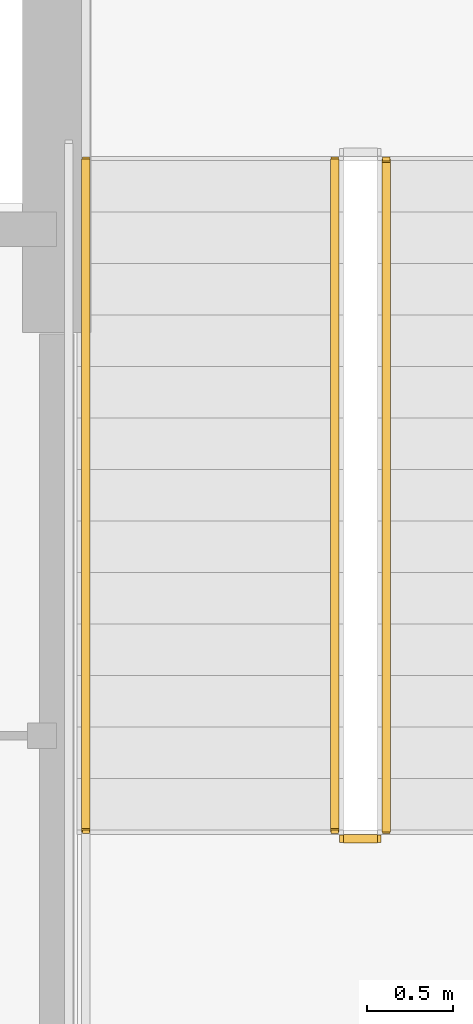
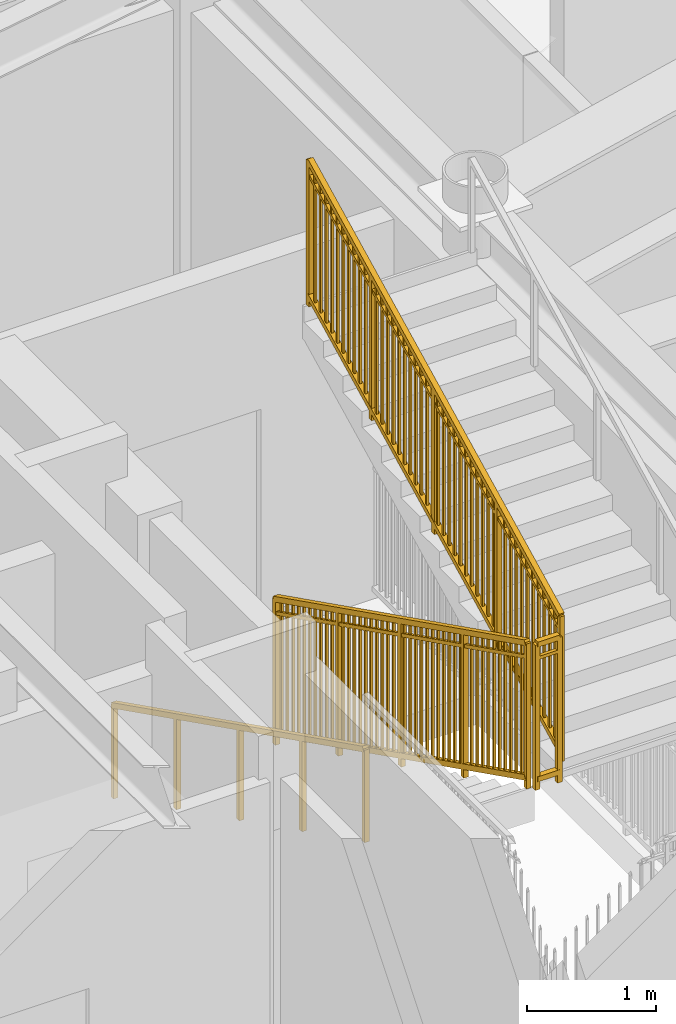
# One storey, part 22 of 26: 4 railings.
"""IFC4 building model written with IfcOpenShell, lengths in metres."""

from ifc_helpers import new_model, si_unit, direction, frame, origin, origin_2d, place, context, subcontext, project, spatial, rectangle, extrude, source, transform, mapped, material, type_object, element, save


model = new_model("IFC4")

# Units and contexts
model_context = context("Model", 3, precision=1e-05, world=origin(), true_north=direction((0.0, 1.0)))
body_context = subcontext(model_context, "Body", "Model", "MODEL_VIEW")
ifc_project = project(units=[si_unit("LENGTHUNIT", "METRE"), si_unit("AREAUNIT", "SQUARE_METRE"), si_unit("VOLUMEUNIT", "CUBIC_METRE"), si_unit("PLANEANGLEUNIT", "RADIAN"), si_unit("MASSUNIT", "GRAM", prefix="KILO")], contexts=[model_context])

# Site, building, storey
site_placement = place(None, origin())
site = spatial("IfcSite", under=ifc_project, at=site_placement, CompositionType="ELEMENT")
building_placement = place(site_placement, origin())
building = spatial("IfcBuilding", under=site, at=building_placement, Name="Linh Dai School and Residence Tower", CompositionType="ELEMENT")
storey_placement = place(building_placement, frame((0.0, 0.0, 351.0)))
storey = spatial("IfcBuildingStorey", under=building, at=storey_placement, Name="L87", CompositionType="ELEMENT", Elevation=351.0)

# Railings
ifc_material_1 = material(Name="Structural Steel S355JR", Category="steel")
railing_type_1 = type_object("IfcRailingType", Name="RL-ST-GUARD-1400", PredefinedType="GUARDRAIL", material=ifc_material_1)
shared_shape_1 = source(origin(), body_context, "Body", "SweptSolid", [
    extrude(rectangle(XDim=0.048095703125, YDim=0.048095703125, at=origin_2d()), frame((0.0, 0.0, 1.3759765625), z_axis=(1.0, 0.0, 0.0), x_axis=(0.0, 1.0, 0.0)), (0.0, 0.0, 1.0), 0.199951171875),
    extrude(rectangle(XDim=0.048095703125, YDim=0.048095703125, at=origin_2d()), frame((0.0, 0.0, 0.10009765625), z_axis=(1.0, 0.0, 0.0), x_axis=(0.0, 1.0, 0.0)), (0.0, 0.0, 1.0), 0.199951171875),
    extrude(rectangle(XDim=0.030029296875, YDim=0.030029296875, at=origin_2d()), frame((0.0, 0.0, 1.239990234375), z_axis=(1.0, 0.0, 0.0), x_axis=(0.0, 1.0, 0.0)), (0.0, 0.0, 1.0), 0.199951171875),
    extrude(rectangle(XDim=0.0419921875, YDim=0.0419921875, at=origin_2d()), origin(), (0.0, 0.0, 1.0), 1.3759765625),
    extrude(rectangle(XDim=0.0419921875, YDim=0.0419921875, at=origin_2d()), frame((0.199951171875, 0.0, 0.0)), (0.0, 0.0, 1.0), 1.3759765625),
])
railing_1_placement = place(storey_placement, frame((42.570068359375, 24.300048828125, 2.10009765625)))
element("IfcRailing", 1, at=railing_1_placement, inside=storey, type_object=railing_type_1, Name="L87 ST2 stair guard 2", PredefinedType="GUARDRAIL", context=body_context, shape_type="MappedRepresentation", body=[
    mapped(shared_shape_1, transform((0.0, 0.0, 0.0), x_axis=(1.0, 0.0, 0.0), y_axis=(0.0, 1.0, 0.0), z_axis=(0.0, 0.0, 1.0), scale=1.0)),
])
shared_shape_2 = source(origin(), body_context, "Body", "SweptSolid", [
    extrude(rectangle(XDim=0.048095703125, YDim=0.048095703125, at=origin_2d()), frame((0.0, 0.0, 1.3759765625), z_axis=(0.0, -0.894404793364, 0.447258387967), x_axis=(1.0, 0.0, 0.0)), (0.0, 0.0, 1.0), 4.3603515625),
    extrude(rectangle(XDim=0.048095703125, YDim=0.048095703125, at=origin_2d()), frame((0.0, 0.0, 0.10009765625), z_axis=(0.0, -0.894404793364, 0.447258387967), x_axis=(1.0, 0.0, 0.0)), (0.0, 0.0, 1.0), 4.3603515625),
    extrude(rectangle(XDim=0.030029296875, YDim=0.030029296875, at=origin_2d()), frame((0.0, 0.0, 1.239990234375), z_axis=(0.0, -0.894404793364, 0.447258387967), x_axis=(1.0, 0.0, 0.0)), (0.0, 0.0, 1.0), 4.3603515625),
    extrude(rectangle(XDim=0.02001953125, YDim=0.02001953125, at=origin_2d()), frame((0.0, -0.086669921875, 0.1435546875)), (0.0, 0.0, 1.0), 1.251708984375),
    extrude(rectangle(XDim=0.02001953125, YDim=0.02001953125, at=origin_2d()), frame((0.0, -0.17333984375, 0.186767578125)), (0.0, 0.0, 1.0), 1.251708984375),
    extrude(rectangle(XDim=0.02001953125, YDim=0.02001953125, at=origin_2d()), frame((0.0, -0.260009765625, 0.230224609375)), (0.0, 0.0, 1.0), 1.251708984375),
    extrude(rectangle(XDim=0.02001953125, YDim=0.02001953125, at=origin_2d()), frame((0.0, -0.3466796875, 0.2734375)), (0.0, 0.0, 1.0), 1.251708984375),
    extrude(rectangle(XDim=0.02001953125, YDim=0.02001953125, at=origin_2d()), frame((0.0, -0.433349609375, 0.31689453125)), (0.0, 0.0, 1.0), 1.251708984375),
    extrude(rectangle(XDim=0.02001953125, YDim=0.02001953125, at=origin_2d()), frame((0.0, -0.52001953125, 0.360107421875)), (0.0, 0.0, 1.0), 1.251708984375),
    extrude(rectangle(XDim=0.02001953125, YDim=0.02001953125, at=origin_2d()), frame((0.0, -0.606689453125, 0.403564453125)), (0.0, 0.0, 1.0), 1.251708984375),
    extrude(rectangle(XDim=0.02001953125, YDim=0.02001953125, at=origin_2d()), frame((0.0, -0.693359375, 0.44677734375)), (0.0, 0.0, 1.0), 1.251708984375),
    extrude(rectangle(XDim=0.02001953125, YDim=0.02001953125, at=origin_2d()), frame((0.0, -0.780029296875, 0.490234375)), (0.0, 0.0, 1.0), 1.251708984375),
    extrude(rectangle(XDim=0.02001953125, YDim=0.02001953125, at=origin_2d()), frame((0.0, -0.86669921875, 0.533447265625)), (0.0, 0.0, 1.0), 1.251708984375),
    extrude(rectangle(XDim=0.02001953125, YDim=0.02001953125, at=origin_2d()), frame((0.0, -1.0400390625, 0.6201171875)), (0.0, 0.0, 1.0), 1.251708984375),
    extrude(rectangle(XDim=0.02001953125, YDim=0.02001953125, at=origin_2d()), frame((0.0, -1.126708984375, 0.66357421875)), (0.0, 0.0, 1.0), 1.251708984375),
    extrude(rectangle(XDim=0.02001953125, YDim=0.02001953125, at=origin_2d()), frame((0.0, -1.21337890625, 0.706787109375)), (0.0, 0.0, 1.0), 1.251708984375),
    extrude(rectangle(XDim=0.02001953125, YDim=0.02001953125, at=origin_2d()), frame((0.0, -1.300048828125, 0.750244140625)), (0.0, 0.0, 1.0), 1.251708984375),
    extrude(rectangle(XDim=0.02001953125, YDim=0.02001953125, at=origin_2d()), frame((0.0, -1.38671875, 0.79345703125)), (0.0, 0.0, 1.0), 1.251708984375),
    extrude(rectangle(XDim=0.02001953125, YDim=0.02001953125, at=origin_2d()), frame((0.0, -1.473388671875, 0.8369140625)), (0.0, 0.0, 1.0), 1.251708984375),
    extrude(rectangle(XDim=0.02001953125, YDim=0.02001953125, at=origin_2d()), frame((0.0, -1.56005859375, 0.880126953125)), (0.0, 0.0, 1.0), 1.251708984375),
    extrude(rectangle(XDim=0.02001953125, YDim=0.02001953125, at=origin_2d()), frame((0.0, -1.646728515625, 0.923583984375)), (0.0, 0.0, 1.0), 1.251708984375),
    extrude(rectangle(XDim=0.02001953125, YDim=0.02001953125, at=origin_2d()), frame((0.0, -1.7333984375, 0.966796875)), (0.0, 0.0, 1.0), 1.251708984375),
    extrude(rectangle(XDim=0.02001953125, YDim=0.02001953125, at=origin_2d()), frame((0.0, -1.820068359375, 1.01025390625)), (0.0, 0.0, 1.0), 1.251708984375),
    extrude(rectangle(XDim=0.02001953125, YDim=0.02001953125, at=origin_2d()), frame((0.0, -1.90673828125, 1.053466796875)), (0.0, 0.0, 1.0), 1.251708984375),
    extrude(rectangle(XDim=0.02001953125, YDim=0.02001953125, at=origin_2d()), frame((0.0, -1.9931640625, 1.096923828125)), (0.0, 0.0, 1.0), 1.251708984375),
    extrude(rectangle(XDim=0.02001953125, YDim=0.02001953125, at=origin_2d()), frame((0.0, -2.079833984375, 1.14013671875)), (0.0, 0.0, 1.0), 1.251708984375),
    extrude(rectangle(XDim=0.02001953125, YDim=0.02001953125, at=origin_2d()), frame((0.0, -2.16650390625, 1.18359375)), (0.0, 0.0, 1.0), 1.251708984375),
    extrude(rectangle(XDim=0.02001953125, YDim=0.02001953125, at=origin_2d()), frame((0.0, -2.253173828125, 1.226806640625)), (0.0, 0.0, 1.0), 1.251708984375),
    extrude(rectangle(XDim=0.02001953125, YDim=0.02001953125, at=origin_2d()), frame((0.0, -2.33984375, 1.270263671875)), (0.0, 0.0, 1.0), 1.251708984375),
    extrude(rectangle(XDim=0.02001953125, YDim=0.02001953125, at=origin_2d()), frame((0.0, -2.426513671875, 1.3134765625)), (0.0, 0.0, 1.0), 1.251708984375),
    extrude(rectangle(XDim=0.02001953125, YDim=0.02001953125, at=origin_2d()), frame((0.0, -2.51318359375, 1.35693359375)), (0.0, 0.0, 1.0), 1.251708984375),
    extrude(rectangle(XDim=0.02001953125, YDim=0.02001953125, at=origin_2d()), frame((0.0, -2.599853515625, 1.400146484375)), (0.0, 0.0, 1.0), 1.251708984375),
    extrude(rectangle(XDim=0.02001953125, YDim=0.02001953125, at=origin_2d()), frame((0.0, -2.6865234375, 1.443603515625)), (0.0, 0.0, 1.0), 1.251708984375),
    extrude(rectangle(XDim=0.02001953125, YDim=0.02001953125, at=origin_2d()), frame((0.0, -2.773193359375, 1.48681640625)), (0.0, 0.0, 1.0), 1.251708984375),
    extrude(rectangle(XDim=0.02001953125, YDim=0.02001953125, at=origin_2d()), frame((0.0, -2.85986328125, 1.5302734375)), (0.0, 0.0, 1.0), 1.251708984375),
    extrude(rectangle(XDim=0.02001953125, YDim=0.02001953125, at=origin_2d()), frame((0.0, -3.033203125, 1.616943359375)), (0.0, 0.0, 1.0), 1.251708984375),
    extrude(rectangle(XDim=0.02001953125, YDim=0.02001953125, at=origin_2d()), frame((0.0, -3.119873046875, 1.66015625)), (0.0, 0.0, 1.0), 1.251708984375),
    extrude(rectangle(XDim=0.02001953125, YDim=0.02001953125, at=origin_2d()), frame((0.0, -3.20654296875, 1.70361328125)), (0.0, 0.0, 1.0), 1.251708984375),
    extrude(rectangle(XDim=0.02001953125, YDim=0.02001953125, at=origin_2d()), frame((0.0, -3.293212890625, 1.746826171875)), (0.0, 0.0, 1.0), 1.251708984375),
    extrude(rectangle(XDim=0.02001953125, YDim=0.02001953125, at=origin_2d()), frame((0.0, -3.3798828125, 1.790283203125)), (0.0, 0.0, 1.0), 1.251708984375),
    extrude(rectangle(XDim=0.02001953125, YDim=0.02001953125, at=origin_2d()), frame((0.0, -3.466552734375, 1.83349609375)), (0.0, 0.0, 1.0), 1.251708984375),
    extrude(rectangle(XDim=0.02001953125, YDim=0.02001953125, at=origin_2d()), frame((0.0, -3.55322265625, 1.876953125)), (0.0, 0.0, 1.0), 1.251708984375),
    extrude(rectangle(XDim=0.02001953125, YDim=0.02001953125, at=origin_2d()), frame((0.0, -3.639892578125, 1.920166015625)), (0.0, 0.0, 1.0), 1.251708984375),
    extrude(rectangle(XDim=0.02001953125, YDim=0.02001953125, at=origin_2d()), frame((0.0, -3.7265625, 1.963623046875)), (0.0, 0.0, 1.0), 1.251708984375),
    extrude(rectangle(XDim=0.02001953125, YDim=0.02001953125, at=origin_2d()), frame((0.0, -3.813232421875, 2.0068359375)), (0.0, 0.0, 1.0), 1.251708984375),
    extrude(rectangle(XDim=0.0419921875, YDim=0.0419921875, at=origin_2d()), origin(), (0.0, 0.0, 1.0), 1.3759765625),
    extrude(rectangle(XDim=0.0419921875, YDim=0.0419921875, at=origin_2d()), frame((0.0, -0.97509765625, 0.487548828125)), (0.0, 0.0, 1.0), 1.3759765625),
    extrude(rectangle(XDim=0.0419921875, YDim=0.0419921875, at=origin_2d()), frame((0.0, -1.949951171875, 0.97509765625)), (0.0, 0.0, 1.0), 1.3759765625),
    extrude(rectangle(XDim=0.0419921875, YDim=0.0419921875, at=origin_2d()), frame((0.0, -2.9248046875, 1.462646484375)), (0.0, 0.0, 1.0), 1.3759765625),
    extrude(rectangle(XDim=0.0419921875, YDim=0.0419921875, at=origin_2d()), frame((0.0, -3.89990234375, 1.9501953125)), (0.0, 0.0, 1.0), 1.3759765625),
])
railing_2_placement = place(storey_placement, frame((42.52001953125, 28.25, 0.14990234375)))
element("IfcRailing", 2, at=railing_2_placement, inside=storey, type_object=railing_type_1, Name="L87 ST2 stair guard 1", PredefinedType="GUARDRAIL", context=body_context, shape_type="MappedRepresentation", body=[
    mapped(shared_shape_2, transform((0.0, 0.0, 0.0), x_axis=(1.0, 0.0, 0.0), y_axis=(0.0, 1.0, 0.0), z_axis=(0.0, 0.0, 1.0), scale=1.0)),
])
shared_shape_3 = source(origin(), body_context, "Body", "SweptSolid", [
    extrude(rectangle(XDim=0.048095703125, YDim=0.048095703125, at=origin_2d()), frame((0.0, 0.0, 1.3759765625), z_axis=(0.0, 0.894427191, 0.4472135955), x_axis=(-1.0, 0.0, 0.0)), (0.0, 0.0, 1.0), 4.360107421875),
    extrude(rectangle(XDim=0.048095703125, YDim=0.048095703125, at=origin_2d()), frame((0.0, 0.0, 0.10009765625), z_axis=(0.0, 0.894427191, 0.4472135955), x_axis=(-1.0, 0.0, 0.0)), (0.0, 0.0, 1.0), 4.360107421875),
    extrude(rectangle(XDim=0.030029296875, YDim=0.030029296875, at=origin_2d()), frame((0.0, 0.0, 1.239990234375), z_axis=(0.0, 0.894427191, 0.4472135955), x_axis=(-1.0, 0.0, 0.0)), (0.0, 0.0, 1.0), 4.360107421875),
    extrude(rectangle(XDim=0.02001953125, YDim=0.02001953125, at=origin_2d()), frame((0.0, 0.086669921875, 0.143310546875)), (0.0, 0.0, 1.0), 1.251708984375),
    extrude(rectangle(XDim=0.02001953125, YDim=0.02001953125, at=origin_2d()), frame((0.0, 0.17333984375, 0.186767578125)), (0.0, 0.0, 1.0), 1.251708984375),
    extrude(rectangle(XDim=0.02001953125, YDim=0.02001953125, at=origin_2d()), frame((0.0, 0.260009765625, 0.22998046875)), (0.0, 0.0, 1.0), 1.251708984375),
    extrude(rectangle(XDim=0.02001953125, YDim=0.02001953125, at=origin_2d()), frame((0.0, 0.3466796875, 0.2734375)), (0.0, 0.0, 1.0), 1.251708984375),
    extrude(rectangle(XDim=0.02001953125, YDim=0.02001953125, at=origin_2d()), frame((0.0, 0.433349609375, 0.316650390625)), (0.0, 0.0, 1.0), 1.251708984375),
    extrude(rectangle(XDim=0.02001953125, YDim=0.02001953125, at=origin_2d()), frame((0.0, 0.52001953125, 0.360107421875)), (0.0, 0.0, 1.0), 1.251708984375),
    extrude(rectangle(XDim=0.02001953125, YDim=0.02001953125, at=origin_2d()), frame((0.0, 0.606689453125, 0.4033203125)), (0.0, 0.0, 1.0), 1.251708984375),
    extrude(rectangle(XDim=0.02001953125, YDim=0.02001953125, at=origin_2d()), frame((0.0, 0.693359375, 0.44677734375)), (0.0, 0.0, 1.0), 1.251708984375),
    extrude(rectangle(XDim=0.02001953125, YDim=0.02001953125, at=origin_2d()), frame((0.0, 0.780029296875, 0.489990234375)), (0.0, 0.0, 1.0), 1.251708984375),
    extrude(rectangle(XDim=0.02001953125, YDim=0.02001953125, at=origin_2d()), frame((0.0, 0.86669921875, 0.533447265625)), (0.0, 0.0, 1.0), 1.251708984375),
    extrude(rectangle(XDim=0.02001953125, YDim=0.02001953125, at=origin_2d()), frame((0.0, 1.0400390625, 0.6201171875)), (0.0, 0.0, 1.0), 1.251708984375),
    extrude(rectangle(XDim=0.02001953125, YDim=0.02001953125, at=origin_2d()), frame((0.0, 1.126708984375, 0.663330078125)), (0.0, 0.0, 1.0), 1.251708984375),
    extrude(rectangle(XDim=0.02001953125, YDim=0.02001953125, at=origin_2d()), frame((0.0, 1.21337890625, 0.706787109375)), (0.0, 0.0, 1.0), 1.251708984375),
    extrude(rectangle(XDim=0.02001953125, YDim=0.02001953125, at=origin_2d()), frame((0.0, 1.300048828125, 0.75)), (0.0, 0.0, 1.0), 1.251708984375),
    extrude(rectangle(XDim=0.02001953125, YDim=0.02001953125, at=origin_2d()), frame((0.0, 1.38671875, 0.79345703125)), (0.0, 0.0, 1.0), 1.251708984375),
    extrude(rectangle(XDim=0.02001953125, YDim=0.02001953125, at=origin_2d()), frame((0.0, 1.473388671875, 0.836669921875)), (0.0, 0.0, 1.0), 1.251708984375),
    extrude(rectangle(XDim=0.02001953125, YDim=0.02001953125, at=origin_2d()), frame((0.0, 1.56005859375, 0.880126953125)), (0.0, 0.0, 1.0), 1.251708984375),
    extrude(rectangle(XDim=0.02001953125, YDim=0.02001953125, at=origin_2d()), frame((0.0, 1.646728515625, 0.92333984375)), (0.0, 0.0, 1.0), 1.251708984375),
    extrude(rectangle(XDim=0.02001953125, YDim=0.02001953125, at=origin_2d()), frame((0.0, 1.7333984375, 0.966796875)), (0.0, 0.0, 1.0), 1.251708984375),
    extrude(rectangle(XDim=0.02001953125, YDim=0.02001953125, at=origin_2d()), frame((0.0, 1.820068359375, 1.010009765625)), (0.0, 0.0, 1.0), 1.251708984375),
    extrude(rectangle(XDim=0.02001953125, YDim=0.02001953125, at=origin_2d()), frame((0.0, 1.90673828125, 1.053466796875)), (0.0, 0.0, 1.0), 1.251708984375),
    extrude(rectangle(XDim=0.02001953125, YDim=0.02001953125, at=origin_2d()), frame((0.0, 1.9931640625, 1.0966796875)), (0.0, 0.0, 1.0), 1.251708984375),
    extrude(rectangle(XDim=0.02001953125, YDim=0.02001953125, at=origin_2d()), frame((0.0, 2.079833984375, 1.14013671875)), (0.0, 0.0, 1.0), 1.251708984375),
    extrude(rectangle(XDim=0.02001953125, YDim=0.02001953125, at=origin_2d()), frame((0.0, 2.16650390625, 1.183349609375)), (0.0, 0.0, 1.0), 1.251708984375),
    extrude(rectangle(XDim=0.02001953125, YDim=0.02001953125, at=origin_2d()), frame((0.0, 2.253173828125, 1.226806640625)), (0.0, 0.0, 1.0), 1.251708984375),
    extrude(rectangle(XDim=0.02001953125, YDim=0.02001953125, at=origin_2d()), frame((0.0, 2.33984375, 1.27001953125)), (0.0, 0.0, 1.0), 1.251708984375),
    extrude(rectangle(XDim=0.02001953125, YDim=0.02001953125, at=origin_2d()), frame((0.0, 2.426513671875, 1.3134765625)), (0.0, 0.0, 1.0), 1.251708984375),
    extrude(rectangle(XDim=0.02001953125, YDim=0.02001953125, at=origin_2d()), frame((0.0, 2.51318359375, 1.356689453125)), (0.0, 0.0, 1.0), 1.251708984375),
    extrude(rectangle(XDim=0.02001953125, YDim=0.02001953125, at=origin_2d()), frame((0.0, 2.599853515625, 1.400146484375)), (0.0, 0.0, 1.0), 1.251708984375),
    extrude(rectangle(XDim=0.02001953125, YDim=0.02001953125, at=origin_2d()), frame((0.0, 2.6865234375, 1.443359375)), (0.0, 0.0, 1.0), 1.251708984375),
    extrude(rectangle(XDim=0.02001953125, YDim=0.02001953125, at=origin_2d()), frame((0.0, 2.773193359375, 1.48681640625)), (0.0, 0.0, 1.0), 1.251708984375),
    extrude(rectangle(XDim=0.02001953125, YDim=0.02001953125, at=origin_2d()), frame((0.0, 2.85986328125, 1.530029296875)), (0.0, 0.0, 1.0), 1.251708984375),
    extrude(rectangle(XDim=0.02001953125, YDim=0.02001953125, at=origin_2d()), frame((0.0, 3.033203125, 1.61669921875)), (0.0, 0.0, 1.0), 1.251708984375),
    extrude(rectangle(XDim=0.02001953125, YDim=0.02001953125, at=origin_2d()), frame((0.0, 3.119873046875, 1.66015625)), (0.0, 0.0, 1.0), 1.251708984375),
    extrude(rectangle(XDim=0.02001953125, YDim=0.02001953125, at=origin_2d()), frame((0.0, 3.20654296875, 1.703369140625)), (0.0, 0.0, 1.0), 1.251708984375),
    extrude(rectangle(XDim=0.02001953125, YDim=0.02001953125, at=origin_2d()), frame((0.0, 3.293212890625, 1.746826171875)), (0.0, 0.0, 1.0), 1.251708984375),
    extrude(rectangle(XDim=0.02001953125, YDim=0.02001953125, at=origin_2d()), frame((0.0, 3.3798828125, 1.7900390625)), (0.0, 0.0, 1.0), 1.251708984375),
    extrude(rectangle(XDim=0.02001953125, YDim=0.02001953125, at=origin_2d()), frame((0.0, 3.466552734375, 1.83349609375)), (0.0, 0.0, 1.0), 1.251708984375),
    extrude(rectangle(XDim=0.02001953125, YDim=0.02001953125, at=origin_2d()), frame((0.0, 3.55322265625, 1.876708984375)), (0.0, 0.0, 1.0), 1.251708984375),
    extrude(rectangle(XDim=0.02001953125, YDim=0.02001953125, at=origin_2d()), frame((0.0, 3.639892578125, 1.920166015625)), (0.0, 0.0, 1.0), 1.251708984375),
    extrude(rectangle(XDim=0.02001953125, YDim=0.02001953125, at=origin_2d()), frame((0.0, 3.7265625, 1.96337890625)), (0.0, 0.0, 1.0), 1.251708984375),
    extrude(rectangle(XDim=0.02001953125, YDim=0.02001953125, at=origin_2d()), frame((0.0, 3.813232421875, 2.0068359375)), (0.0, 0.0, 1.0), 1.251708984375),
    extrude(rectangle(XDim=0.0419921875, YDim=0.0419921875, at=origin_2d()), origin(), (0.0, 0.0, 1.0), 1.3759765625),
    extrude(rectangle(XDim=0.0419921875, YDim=0.0419921875, at=origin_2d()), frame((0.0, 0.97509765625, 0.487548828125)), (0.0, 0.0, 1.0), 1.3759765625),
    extrude(rectangle(XDim=0.0419921875, YDim=0.0419921875, at=origin_2d()), frame((0.0, 1.949951171875, 0.97509765625)), (0.0, 0.0, 1.0), 1.3759765625),
    extrude(rectangle(XDim=0.0419921875, YDim=0.0419921875, at=origin_2d()), frame((0.0, 2.9248046875, 1.46240234375)), (0.0, 0.0, 1.0), 1.3759765625),
    extrude(rectangle(XDim=0.0419921875, YDim=0.0419921875, at=origin_2d()), frame((0.0, 3.89990234375, 1.949951171875)), (0.0, 0.0, 1.0), 1.3759765625),
])
railing_3_placement = place(storey_placement, frame((42.820068359375, 24.35009765625, 2.25)))
element("IfcRailing", 3, at=railing_3_placement, inside=storey, type_object=railing_type_1, Name="L87 ST2 stair guard 6", PredefinedType="GUARDRAIL", context=body_context, shape_type="MappedRepresentation", body=[
    mapped(shared_shape_3, transform((0.0, 0.0, 0.0), x_axis=(1.0, 0.0, 0.0), y_axis=(0.0, 1.0, 0.0), z_axis=(0.0, 0.0, 1.0), scale=1.0)),
])
ifc_material_2 = material(Name="Brushed Stainless Steel Handrail", Category="steel")
railing_type_2 = type_object("IfcRailingType", Name="RL-ST-HANDRAIL-900", PredefinedType="HANDRAIL", material=ifc_material_2)
shared_shape_4 = source(origin(), body_context, "Body", "SweptSolid", [
    extrude(rectangle(XDim=0.048095703125, YDim=0.048095703125, at=origin_2d()), frame((0.0, 0.0, 0.8759765625), z_axis=(0.0, -0.894404793364, 0.447258387967), x_axis=(1.0, 0.0, 0.0)), (0.0, 0.0, 1.0), 4.3603515625),
    extrude(rectangle(XDim=0.0419921875, YDim=0.0419921875, at=origin_2d()), origin(), (0.0, 0.0, 1.0), 0.8759765625),
    extrude(rectangle(XDim=0.0419921875, YDim=0.0419921875, at=origin_2d()), frame((0.0, -0.97509765625, 0.487548828125)), (0.0, 0.0, 1.0), 0.8759765625),
    extrude(rectangle(XDim=0.0419921875, YDim=0.0419921875, at=origin_2d()), frame((0.0, -1.949951171875, 0.97509765625)), (0.0, 0.0, 1.0), 0.8759765625),
    extrude(rectangle(XDim=0.0419921875, YDim=0.0419921875, at=origin_2d()), frame((0.0, -2.9248046875, 1.462646484375)), (0.0, 0.0, 1.0), 0.8759765625),
    extrude(rectangle(XDim=0.0419921875, YDim=0.0419921875, at=origin_2d()), frame((0.0, -3.89990234375, 1.9501953125)), (0.0, 0.0, 1.0), 0.8759765625),
])
railing_4_placement = place(storey_placement, frame((41.070068359375, 28.25, 0.14990234375)))
element("IfcRailing", 4, at=railing_4_placement, inside=storey, type_object=railing_type_2, Name="L87 ST2 stair handrail 1", PredefinedType="HANDRAIL", context=body_context, shape_type="MappedRepresentation", body=[
    mapped(shared_shape_4, transform((0.0, 0.0, 0.0), x_axis=(1.0, 0.0, 0.0), y_axis=(0.0, 1.0, 0.0), z_axis=(0.0, 0.0, 1.0), scale=1.0)),
])

save(model, "model.ifc")
